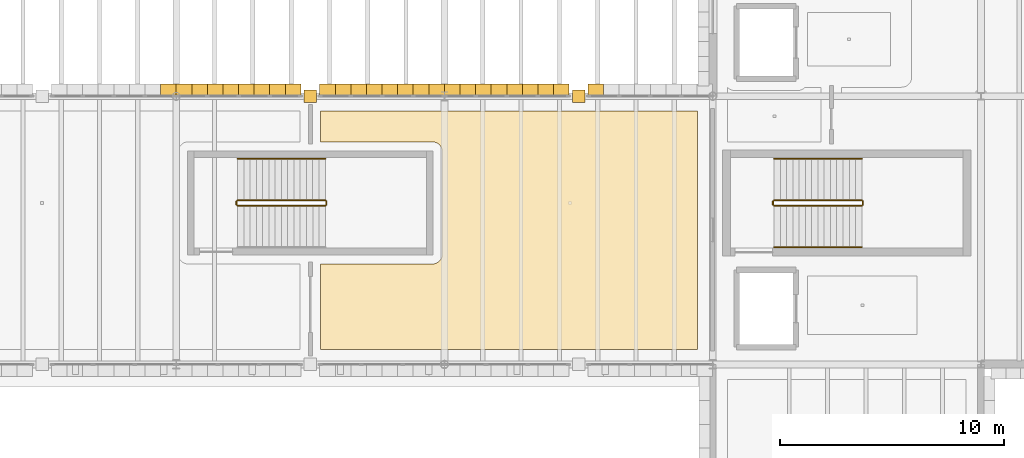
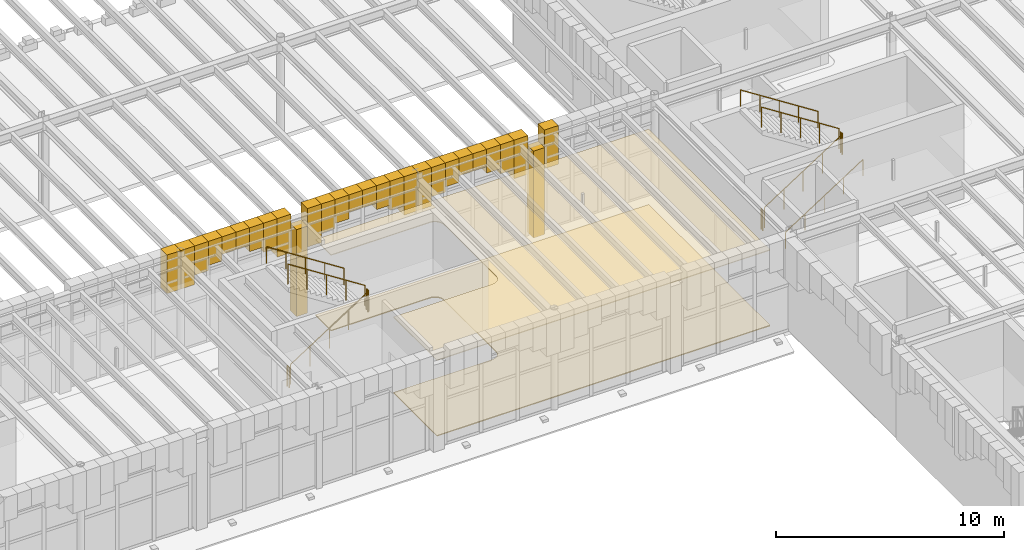
# One storey, part 87 of 100: 30 coverings, 11 railings.
"""IFC4 building model written with IfcOpenShell, lengths in metres."""

from ifc_helpers import new_model, si_unit, direction, frame, origin, origin_2d, place, context, subcontext, project, spatial, polyline, circle, outline, extrude, material, layer, layer_set, type_object, element, save


model = new_model("IFC4")

# Units and contexts
model_context = context("Model", 3, precision=1e-05, world=origin(), true_north=direction((0.0, 1.0)))
body_context = subcontext(model_context, "Body", "Model", "MODEL_VIEW")
ifc_project = project(units=[si_unit("LENGTHUNIT", "METRE"), si_unit("AREAUNIT", "SQUARE_METRE"), si_unit("VOLUMEUNIT", "CUBIC_METRE"), si_unit("PLANEANGLEUNIT", "RADIAN"), si_unit("MASSUNIT", "GRAM", prefix="KILO")], contexts=[model_context])

# Site, building, storey
site_placement = place(None, origin())
site = spatial("IfcSite", under=ifc_project, at=site_placement, CompositionType="ELEMENT")
building_placement = place(site_placement, origin())
building = spatial("IfcBuilding", under=site, at=building_placement, Name="Zlatogorsky Bluff Art Gallery", CompositionType="ELEMENT")
storey_placement = place(building_placement, frame((0.0, 0.0, 5.39990234375)))
storey = spatial("IfcBuildingStorey", under=building, at=storey_placement, Name="L01", CompositionType="ELEMENT", Elevation=5.39990234375)

# Coverings
ifc_material_1 = material(Name="Perforated Gypsum Acoustic Board", Category="gypsum")
ifc_layer_1 = layer(ifc_material_1, 0.0400390625)
ifc_layer_set_1 = layer_set([ifc_layer_1], Name="Acoustic Gallery Ceiling CLG-01")
covering_type_1 = type_object("IfcCoveringType", Name="Acoustic Gallery Ceiling CLG-01", PredefinedType="CEILING", material=ifc_layer_set_1)
covering_1_placement = place(storey_placement, frame((0.0, 0.0, 4.050048828125)))
element("IfcCovering", 1, at=covering_1_placement, inside=storey, type_object=covering_type_1, Name="Sculpture Terrace Gallery acoustic ceiling", PredefinedType="CEILING", context=body_context, shape_type="SweptSolid", body=[
    extrude(outline(polyline([(102.449951171875, 84.669921875), (102.449951171875, 88.489990234375), (107.450927734375, 88.489990234375), (107.495361328125, 88.4921875), (107.539306640625, 88.498779296875), (107.540283203125, 88.498779296875), (107.549560546875, 88.5009765625), (107.550537109375, 88.501220703125), (107.59375, 88.512939453125), (107.6357421875, 88.529296875), (107.637451171875, 88.530029296875), (107.673095703125, 88.5478515625), (107.674072265625, 88.54833984375), (107.706298828125, 88.568115234375), (107.73681640625, 88.59033203125), (107.73828125, 88.591552734375), (107.775390625, 88.624755859375), (107.80859375, 88.661865234375), (107.809814453125, 88.663330078125), (107.83203125, 88.693603515625), (107.851806640625, 88.725830078125), (107.852294921875, 88.726806640625), (107.8701171875, 88.762451171875), (107.870849609375, 88.764404296875), (107.886962890625, 88.80615234375), (107.89892578125, 88.849609375), (107.899169921875, 88.850341796875), (107.901123046875, 88.859619140625), (107.9013671875, 88.860595703125), (107.90771484375, 88.90478515625), (107.909912109375, 88.948974609375), (107.909912109375, 93.5009765625), (107.90771484375, 93.54541015625), (107.9013671875, 93.58935546875), (107.901123046875, 93.59033203125), (107.899169921875, 93.599609375), (107.89892578125, 93.6005859375), (107.886962890625, 93.643798828125), (107.870849609375, 93.685791015625), (107.8701171875, 93.6875), (107.852294921875, 93.72314453125), (107.851806640625, 93.72412109375), (107.83203125, 93.75634765625), (107.809814453125, 93.78662109375), (107.80859375, 93.7880859375), (107.775390625, 93.8251953125), (107.73828125, 93.8583984375), (107.73681640625, 93.859619140625), (107.706298828125, 93.882080078125), (107.674072265625, 93.901611328125), (107.673095703125, 93.902099609375), (107.637451171875, 93.919921875), (107.63671875, 93.92041015625), (107.6357421875, 93.9208984375), (107.59375, 93.93701171875), (107.550537109375, 93.948974609375), (107.549560546875, 93.94921875), (107.540283203125, 93.951171875), (107.539306640625, 93.951416015625), (107.495361328125, 93.957763671875), (107.450927734375, 93.9599609375), (102.449951171875, 93.9599609375), (102.449951171875, 95.330078125), (119.330078125, 95.330078125), (119.330078125, 84.669921875), (102.449951171875, 84.669921875)])), origin(), (0.0, 0.0, 1.0), 0.0400390625),
])
ifc_material_2 = material(Name="Honed Red Agra-Tone Quartzitic Sandstone", Category="masonry")
ifc_layer_2 = layer(ifc_material_2, 0.1201171875)
ifc_layer_set_2 = layer_set([ifc_layer_2], Name="Carved Sandstone Cladding CLD-02")
covering_type_2 = type_object("IfcCoveringType", Name="Carved Sandstone Cladding CLD-02", PredefinedType="CLADDING", material=ifc_layer_set_2)
covering_2_placement = place(storey_placement, frame((0.0, 0.0, 3.2978515625)))
element("IfcCovering", 2, at=covering_2_placement, inside=storey, type_object=covering_type_2, Name="Pointed Mughal arch voussoir spandrel ARCH-CW-L01-N-07-08-A.8", PredefinedType="CLADDING", context=body_context, shape_type="SweptSolid", body=[
    extrude(outline(polyline([(95.302490234375, 95.969970703125), (96.0, 95.969970703125), (96.0, 96.5400390625), (95.302490234375, 96.5400390625), (95.302490234375, 95.969970703125)])), origin(), (0.0, 0.0, 1.0), 2.062255859375),
])
covering_3_placement = place(storey_placement, frame((0.0, 0.0, -0.02978515625)))
element("IfcCovering", 3, at=covering_3_placement, inside=storey, type_object=covering_type_2, Name="Mughal dalan central sandstone pier L01 N 8.8", PredefinedType="CLADDING", context=body_context, shape_type="SweptSolid", body=[
    extrude(outline(polyline([(101.719970703125, 95.719970703125), (102.280029296875, 95.719970703125), (102.280029296875, 96.280029296875), (101.719970703125, 96.280029296875), (101.719970703125, 95.719970703125)])), origin(), (0.0, 0.0, 1.0), 4.659912109375),
])
covering_4_placement = place(storey_placement, frame((0.0, 0.0, 3.2978515625)))
element("IfcCovering", 4, at=covering_4_placement, inside=storey, type_object=covering_type_2, Name="Pointed Mughal arch voussoir spandrel ARCH-CW-L01-N-08-08-A.1", PredefinedType="CLADDING", context=body_context, shape_type="SweptSolid", body=[
    extrude(outline(polyline([(102.419921875, 95.969970703125), (103.117431640625, 95.969970703125), (103.117431640625, 96.5400390625), (102.419921875, 96.5400390625), (102.419921875, 95.969970703125)])), origin(), (0.0, 0.0, 1.0), 2.062255859375),
])
covering_5_placement = place(storey_placement, frame((0.0, 0.0, 3.7998046875)))
element("IfcCovering", 5, at=covering_5_placement, inside=storey, type_object=covering_type_2, Name="Pointed Mughal arch voussoir spandrel ARCH-CW-L01-N-08-08-A.2", PredefinedType="CLADDING", context=body_context, shape_type="SweptSolid", body=[
    extrude(outline(polyline([(103.117431640625, 95.969970703125), (103.81494140625, 95.969970703125), (103.81494140625, 96.5400390625), (103.117431640625, 96.5400390625), (103.117431640625, 95.969970703125)])), origin(), (0.0, 0.0, 1.0), 1.560302734375),
])
covering_6_placement = place(storey_placement, frame((0.0, 0.0, 4.076416015625)))
element("IfcCovering", 6, at=covering_6_placement, inside=storey, type_object=covering_type_2, Name="Pointed Mughal arch voussoir spandrel ARCH-CW-L01-N-08-08-A.3", PredefinedType="CLADDING", context=body_context, shape_type="SweptSolid", body=[
    extrude(outline(polyline([(103.81494140625, 95.969970703125), (104.512451171875, 95.969970703125), (104.512451171875, 96.5400390625), (103.81494140625, 96.5400390625), (103.81494140625, 95.969970703125)])), origin(), (0.0, 0.0, 1.0), 1.28369140625),
])
covering_7_placement = place(storey_placement, frame((0.0, 0.0, 4.424560546875)))
element("IfcCovering", 7, at=covering_7_placement, inside=storey, type_object=covering_type_2, Name="Pointed Mughal arch voussoir spandrel ARCH-CW-L01-N-08-08-A.4", PredefinedType="CLADDING", context=body_context, shape_type="SweptSolid", body=[
    extrude(outline(polyline([(104.512451171875, 95.969970703125), (105.2099609375, 95.969970703125), (105.2099609375, 96.5400390625), (104.512451171875, 96.5400390625), (104.512451171875, 95.969970703125)])), origin(), (0.0, 0.0, 1.0), 0.935546875),
])
covering_8_placement = place(storey_placement, frame((0.0, 0.0, 4.424560546875)))
element("IfcCovering", 8, at=covering_8_placement, inside=storey, type_object=covering_type_2, Name="Pointed Mughal arch voussoir spandrel ARCH-CW-L01-N-08-08-A.5", PredefinedType="CLADDING", context=body_context, shape_type="SweptSolid", body=[
    extrude(outline(polyline([(105.2099609375, 95.969970703125), (105.907470703125, 95.969970703125), (105.907470703125, 96.5400390625), (105.2099609375, 96.5400390625), (105.2099609375, 95.969970703125)])), origin(), (0.0, 0.0, 1.0), 0.935546875),
])
covering_9_placement = place(storey_placement, frame((0.0, 0.0, 4.076416015625)))
element("IfcCovering", 9, at=covering_9_placement, inside=storey, type_object=covering_type_2, Name="Pointed Mughal arch voussoir spandrel ARCH-CW-L01-N-08-08-A.6", PredefinedType="CLADDING", context=body_context, shape_type="SweptSolid", body=[
    extrude(outline(polyline([(105.907470703125, 95.969970703125), (106.60498046875, 95.969970703125), (106.60498046875, 96.5400390625), (105.907470703125, 96.5400390625), (105.907470703125, 95.969970703125)])), origin(), (0.0, 0.0, 1.0), 1.28369140625),
])
covering_10_placement = place(storey_placement, frame((0.0, 0.0, 3.7998046875)))
element("IfcCovering", 10, at=covering_10_placement, inside=storey, type_object=covering_type_2, Name="Pointed Mughal arch voussoir spandrel ARCH-CW-L01-N-08-08-A.7", PredefinedType="CLADDING", context=body_context, shape_type="SweptSolid", body=[
    extrude(outline(polyline([(106.60498046875, 95.969970703125), (107.302490234375, 95.969970703125), (107.302490234375, 96.5400390625), (106.60498046875, 96.5400390625), (106.60498046875, 95.969970703125)])), origin(), (0.0, 0.0, 1.0), 1.560302734375),
])
covering_11_placement = place(storey_placement, frame((0.0, 0.0, 3.2978515625)))
element("IfcCovering", 11, at=covering_11_placement, inside=storey, type_object=covering_type_2, Name="Pointed Mughal arch voussoir spandrel ARCH-CW-L01-N-08-08-A.8", PredefinedType="CLADDING", context=body_context, shape_type="SweptSolid", body=[
    extrude(outline(polyline([(107.302490234375, 95.969970703125), (108.0, 95.969970703125), (108.0, 96.5400390625), (107.302490234375, 96.5400390625), (107.302490234375, 95.969970703125)])), origin(), (0.0, 0.0, 1.0), 2.062255859375),
])
covering_12_placement = place(storey_placement, frame((0.0, 0.0, 3.2978515625)))
element("IfcCovering", 12, at=covering_12_placement, inside=storey, type_object=covering_type_2, Name="Pointed Mughal arch voussoir spandrel ARCH-CW-L01-N-08-08-B.1", PredefinedType="CLADDING", context=body_context, shape_type="SweptSolid", body=[
    extrude(outline(polyline([(96.0, 95.969970703125), (96.697509765625, 95.969970703125), (96.697509765625, 96.5400390625), (96.0, 96.5400390625), (96.0, 95.969970703125)])), origin(), (0.0, 0.0, 1.0), 2.062255859375),
])
covering_13_placement = place(storey_placement, frame((0.0, 0.0, 3.7998046875)))
element("IfcCovering", 13, at=covering_13_placement, inside=storey, type_object=covering_type_2, Name="Pointed Mughal arch voussoir spandrel ARCH-CW-L01-N-08-08-B.2", PredefinedType="CLADDING", context=body_context, shape_type="SweptSolid", body=[
    extrude(outline(polyline([(96.697509765625, 95.969970703125), (97.39501953125, 95.969970703125), (97.39501953125, 96.5400390625), (96.697509765625, 96.5400390625), (96.697509765625, 95.969970703125)])), origin(), (0.0, 0.0, 1.0), 1.560302734375),
])
covering_14_placement = place(storey_placement, frame((0.0, 0.0, 4.076416015625)))
element("IfcCovering", 14, at=covering_14_placement, inside=storey, type_object=covering_type_2, Name="Pointed Mughal arch voussoir spandrel ARCH-CW-L01-N-08-08-B.3", PredefinedType="CLADDING", context=body_context, shape_type="SweptSolid", body=[
    extrude(outline(polyline([(97.39501953125, 95.969970703125), (98.092529296875, 95.969970703125), (98.092529296875, 96.5400390625), (97.39501953125, 96.5400390625), (97.39501953125, 95.969970703125)])), origin(), (0.0, 0.0, 1.0), 1.28369140625),
])
covering_15_placement = place(storey_placement, frame((0.0, 0.0, 4.424560546875)))
element("IfcCovering", 15, at=covering_15_placement, inside=storey, type_object=covering_type_2, Name="Pointed Mughal arch voussoir spandrel ARCH-CW-L01-N-08-08-B.4", PredefinedType="CLADDING", context=body_context, shape_type="SweptSolid", body=[
    extrude(outline(polyline([(98.092529296875, 95.969970703125), (98.7900390625, 95.969970703125), (98.7900390625, 96.5400390625), (98.092529296875, 96.5400390625), (98.092529296875, 95.969970703125)])), origin(), (0.0, 0.0, 1.0), 0.935546875),
])
covering_16_placement = place(storey_placement, frame((0.0, 0.0, 4.424560546875)))
element("IfcCovering", 16, at=covering_16_placement, inside=storey, type_object=covering_type_2, Name="Pointed Mughal arch voussoir spandrel ARCH-CW-L01-N-08-08-B.5", PredefinedType="CLADDING", context=body_context, shape_type="SweptSolid", body=[
    extrude(outline(polyline([(98.7900390625, 95.969970703125), (99.487548828125, 95.969970703125), (99.487548828125, 96.5400390625), (98.7900390625, 96.5400390625), (98.7900390625, 95.969970703125)])), origin(), (0.0, 0.0, 1.0), 0.935546875),
])
covering_17_placement = place(storey_placement, frame((0.0, 0.0, 4.076416015625)))
element("IfcCovering", 17, at=covering_17_placement, inside=storey, type_object=covering_type_2, Name="Pointed Mughal arch voussoir spandrel ARCH-CW-L01-N-08-08-B.6", PredefinedType="CLADDING", context=body_context, shape_type="SweptSolid", body=[
    extrude(outline(polyline([(99.487548828125, 95.969970703125), (100.18505859375, 95.969970703125), (100.18505859375, 96.5400390625), (99.487548828125, 96.5400390625), (99.487548828125, 95.969970703125)])), origin(), (0.0, 0.0, 1.0), 1.28369140625),
])
covering_18_placement = place(storey_placement, frame((0.0, 0.0, 3.7998046875)))
element("IfcCovering", 18, at=covering_18_placement, inside=storey, type_object=covering_type_2, Name="Pointed Mughal arch voussoir spandrel ARCH-CW-L01-N-08-08-B.7", PredefinedType="CLADDING", context=body_context, shape_type="SweptSolid", body=[
    extrude(outline(polyline([(100.18505859375, 95.969970703125), (100.882568359375, 95.969970703125), (100.882568359375, 96.5400390625), (100.18505859375, 96.5400390625), (100.18505859375, 95.969970703125)])), origin(), (0.0, 0.0, 1.0), 1.560302734375),
])
covering_19_placement = place(storey_placement, frame((0.0, 0.0, 3.2978515625)))
element("IfcCovering", 19, at=covering_19_placement, inside=storey, type_object=covering_type_2, Name="Pointed Mughal arch voussoir spandrel ARCH-CW-L01-N-08-08-B.8", PredefinedType="CLADDING", context=body_context, shape_type="SweptSolid", body=[
    extrude(outline(polyline([(100.882568359375, 95.969970703125), (101.580078125, 95.969970703125), (101.580078125, 96.5400390625), (100.882568359375, 96.5400390625), (100.882568359375, 95.969970703125)])), origin(), (0.0, 0.0, 1.0), 2.062255859375),
])
covering_20_placement = place(storey_placement, frame((0.0, 0.0, -0.02978515625)))
element("IfcCovering", 20, at=covering_20_placement, inside=storey, type_object=covering_type_2, Name="Mughal dalan central sandstone pier L01 N 9.8", PredefinedType="CLADDING", context=body_context, shape_type="SweptSolid", body=[
    extrude(outline(polyline([(113.719970703125, 95.719970703125), (114.280029296875, 95.719970703125), (114.280029296875, 96.280029296875), (113.719970703125, 96.280029296875), (113.719970703125, 95.719970703125)])), origin(), (0.0, 0.0, 1.0), 4.659912109375),
])
covering_21_placement = place(storey_placement, frame((0.0, 0.0, 3.2978515625)))
element("IfcCovering", 21, at=covering_21_placement, inside=storey, type_object=covering_type_2, Name="Pointed Mughal arch voussoir spandrel ARCH-CW-L01-N-09-08-A.1", PredefinedType="CLADDING", context=body_context, shape_type="SweptSolid", body=[
    extrude(outline(polyline([(114.419921875, 95.969970703125), (115.117431640625, 95.969970703125), (115.117431640625, 96.5400390625), (114.419921875, 96.5400390625), (114.419921875, 95.969970703125)])), origin(), (0.0, 0.0, 1.0), 2.062255859375),
])
covering_22_placement = place(storey_placement, frame((0.0, 0.0, 3.2978515625)))
element("IfcCovering", 22, at=covering_22_placement, inside=storey, type_object=covering_type_2, Name="Pointed Mughal arch voussoir spandrel ARCH-CW-L01-N-09-08-B.1", PredefinedType="CLADDING", context=body_context, shape_type="SweptSolid", body=[
    extrude(outline(polyline([(108.0, 95.969970703125), (108.697509765625, 95.969970703125), (108.697509765625, 96.5400390625), (108.0, 96.5400390625), (108.0, 95.969970703125)])), origin(), (0.0, 0.0, 1.0), 2.062255859375),
])
covering_23_placement = place(storey_placement, frame((0.0, 0.0, 3.7998046875)))
element("IfcCovering", 23, at=covering_23_placement, inside=storey, type_object=covering_type_2, Name="Pointed Mughal arch voussoir spandrel ARCH-CW-L01-N-09-08-B.2", PredefinedType="CLADDING", context=body_context, shape_type="SweptSolid", body=[
    extrude(outline(polyline([(108.697509765625, 95.969970703125), (109.39501953125, 95.969970703125), (109.39501953125, 96.5400390625), (108.697509765625, 96.5400390625), (108.697509765625, 95.969970703125)])), origin(), (0.0, 0.0, 1.0), 1.560302734375),
])
covering_24_placement = place(storey_placement, frame((0.0, 0.0, 4.076416015625)))
element("IfcCovering", 24, at=covering_24_placement, inside=storey, type_object=covering_type_2, Name="Pointed Mughal arch voussoir spandrel ARCH-CW-L01-N-09-08-B.3", PredefinedType="CLADDING", context=body_context, shape_type="SweptSolid", body=[
    extrude(outline(polyline([(109.39501953125, 95.969970703125), (110.092529296875, 95.969970703125), (110.092529296875, 96.5400390625), (109.39501953125, 96.5400390625), (109.39501953125, 95.969970703125)])), origin(), (0.0, 0.0, 1.0), 1.28369140625),
])
covering_25_placement = place(storey_placement, frame((0.0, 0.0, 4.424560546875)))
element("IfcCovering", 25, at=covering_25_placement, inside=storey, type_object=covering_type_2, Name="Pointed Mughal arch voussoir spandrel ARCH-CW-L01-N-09-08-B.4", PredefinedType="CLADDING", context=body_context, shape_type="SweptSolid", body=[
    extrude(outline(polyline([(110.092529296875, 95.969970703125), (110.7900390625, 95.969970703125), (110.7900390625, 96.5400390625), (110.092529296875, 96.5400390625), (110.092529296875, 95.969970703125)])), origin(), (0.0, 0.0, 1.0), 0.935546875),
])
covering_26_placement = place(storey_placement, frame((0.0, 0.0, 4.424560546875)))
element("IfcCovering", 26, at=covering_26_placement, inside=storey, type_object=covering_type_2, Name="Pointed Mughal arch voussoir spandrel ARCH-CW-L01-N-09-08-B.5", PredefinedType="CLADDING", context=body_context, shape_type="SweptSolid", body=[
    extrude(outline(polyline([(110.7900390625, 95.969970703125), (111.487548828125, 95.969970703125), (111.487548828125, 96.5400390625), (110.7900390625, 96.5400390625), (110.7900390625, 95.969970703125)])), origin(), (0.0, 0.0, 1.0), 0.935546875),
])
covering_27_placement = place(storey_placement, frame((0.0, 0.0, 4.076416015625)))
element("IfcCovering", 27, at=covering_27_placement, inside=storey, type_object=covering_type_2, Name="Pointed Mughal arch voussoir spandrel ARCH-CW-L01-N-09-08-B.6", PredefinedType="CLADDING", context=body_context, shape_type="SweptSolid", body=[
    extrude(outline(polyline([(111.487548828125, 95.969970703125), (112.18505859375, 95.969970703125), (112.18505859375, 96.5400390625), (111.487548828125, 96.5400390625), (111.487548828125, 95.969970703125)])), origin(), (0.0, 0.0, 1.0), 1.28369140625),
])
covering_28_placement = place(storey_placement, frame((0.0, 0.0, 3.7998046875)))
element("IfcCovering", 28, at=covering_28_placement, inside=storey, type_object=covering_type_2, Name="Pointed Mughal arch voussoir spandrel ARCH-CW-L01-N-09-08-B.7", PredefinedType="CLADDING", context=body_context, shape_type="SweptSolid", body=[
    extrude(outline(polyline([(112.18505859375, 95.969970703125), (112.882568359375, 95.969970703125), (112.882568359375, 96.5400390625), (112.18505859375, 96.5400390625), (112.18505859375, 95.969970703125)])), origin(), (0.0, 0.0, 1.0), 1.560302734375),
])
covering_29_placement = place(storey_placement, frame((0.0, 0.0, 3.2978515625)))
element("IfcCovering", 29, at=covering_29_placement, inside=storey, type_object=covering_type_2, Name="Pointed Mughal arch voussoir spandrel ARCH-CW-L01-N-09-08-B.8", PredefinedType="CLADDING", context=body_context, shape_type="SweptSolid", body=[
    extrude(outline(polyline([(112.882568359375, 95.969970703125), (113.580078125, 95.969970703125), (113.580078125, 96.5400390625), (112.882568359375, 96.5400390625), (112.882568359375, 95.969970703125)])), origin(), (0.0, 0.0, 1.0), 2.062255859375),
])

# Railings
ifc_material_3 = material(Name="Architectural Bronze and Laminated Glass", Category="glass")
railing_type_1 = type_object("IfcRailingType", Name="Gallery Guard Rail 1100mm", PredefinedType="GUARDRAIL", material=ifc_material_3)
railing_1_placement = place(storey_placement, frame((98.75, 91.10009765625, 0.18017578125)))
element("IfcRailing", 30, at=railing_1_placement, inside=storey, type_object=railing_type_1, Name="L01 ST-01 stair guard 1", PredefinedType="GUARDRAIL", context=body_context, shape_type="SweptSolid", body=[
    extrude(circle(Radius=0.02392578125, at=origin_2d()), frame((0.0, 0.0, 1.076171875), z_axis=(0.841171666519, 0.0, 0.540768182723), x_axis=(0.0, 1.0, 0.0)), (0.0, 0.0, 1.0), 4.66015625),
    extrude(circle(Radius=0.02099609375, at=origin_2d()), origin(), (0.0, 0.0, 1.0), 1.052001953125),
    extrude(circle(Radius=0.02099609375, at=origin_2d()), frame((0.97998046875, 0.0, 0.6298828125)), (0.0, 0.0, 1.0), 1.052001953125),
    extrude(circle(Radius=0.02099609375, at=origin_2d()), frame((1.9599609375, 0.0, 1.260009765625)), (0.0, 0.0, 1.0), 1.052001953125),
    extrude(circle(Radius=0.02099609375, at=origin_2d()), frame((2.93994140625, 0.0, 1.89013671875)), (0.0, 0.0, 1.0), 1.052001953125),
    extrude(circle(Radius=0.02099609375, at=origin_2d()), frame((3.919921875, 0.0, 2.52001953125)), (0.0, 0.0, 1.0), 1.052001953125),
])
railing_2_placement = place(storey_placement, frame((102.719970703125, 91.14990234375, 2.7001953125)))
element("IfcRailing", 31, at=railing_2_placement, inside=storey, type_object=railing_type_1, Name="L01 ST-01 stair guard 2", PredefinedType="GUARDRAIL", context=body_context, shape_type="SweptSolid", body=[
    extrude(circle(Radius=0.02392578125, at=origin_2d()), frame((0.0, 0.0, 1.076171875), z_axis=(0.0, 1.0, 0.0), x_axis=(-1.0, 0.0, 0.0)), (0.0, 0.0, 1.0), 0.150146484375),
    extrude(circle(Radius=0.02099609375, at=origin_2d()), origin(), (0.0, 0.0, 1.0), 1.052001953125),
    extrude(circle(Radius=0.02099609375, at=origin_2d()), frame((0.0, 0.150146484375, 0.0)), (0.0, 0.0, 1.0), 1.052001953125),
])
railing_3_placement = place(storey_placement, frame((102.669921875, 91.35009765625, 2.880126953125)))
element("IfcRailing", 32, at=railing_3_placement, inside=storey, type_object=railing_type_1, Name="L01 ST-01 stair guard 3", PredefinedType="GUARDRAIL", context=body_context, shape_type="SweptSolid", body=[
    extrude(circle(Radius=0.02392578125, at=origin_2d()), frame((0.0, 0.0, 1.076171875), z_axis=(-0.841171666519, 0.0, 0.540768182723), x_axis=(0.0, -1.0, 0.0)), (0.0, 0.0, 1.0), 4.66015625),
    extrude(circle(Radius=0.02099609375, at=origin_2d()), origin(), (0.0, 0.0, 1.0), 1.052001953125),
    extrude(circle(Radius=0.02099609375, at=origin_2d()), frame((-0.97998046875, 0.0, 0.6298828125)), (0.0, 0.0, 1.0), 1.052001953125),
    extrude(circle(Radius=0.02099609375, at=origin_2d()), frame((-1.9599609375, 0.0, 1.260009765625)), (0.0, 0.0, 1.0), 1.052001953125),
    extrude(circle(Radius=0.02099609375, at=origin_2d()), frame((-2.93994140625, 0.0, 1.89013671875)), (0.0, 0.0, 1.0), 1.052001953125),
    extrude(circle(Radius=0.02099609375, at=origin_2d()), frame((-3.919921875, 0.0, 2.52001953125)), (0.0, 0.0, 1.0), 1.052001953125),
])
railing_4_placement = place(storey_placement, frame((98.699951171875, 91.14990234375, 0.0)))
element("IfcRailing", 33, at=railing_4_placement, inside=storey, type_object=railing_type_1, Name="L01 ST-01 stair guard 4", PredefinedType="GUARDRAIL", context=body_context, shape_type="SweptSolid", body=[
    extrude(circle(Radius=0.02392578125, at=origin_2d()), frame((0.0, 0.0, 1.076171875), z_axis=(0.0, 1.0, 0.0), x_axis=(-1.0, 0.0, 0.0)), (0.0, 0.0, 1.0), 0.150146484375),
    extrude(circle(Radius=0.02099609375, at=origin_2d()), origin(), (0.0, 0.0, 1.0), 1.052001953125),
    extrude(circle(Radius=0.02099609375, at=origin_2d()), frame((0.0, 0.150146484375, 0.0)), (0.0, 0.0, 1.0), 1.052001953125),
])
railing_5_placement = place(storey_placement, frame((122.75, 91.10009765625, 0.18017578125)))
element("IfcRailing", 34, at=railing_5_placement, inside=storey, type_object=railing_type_1, Name="L01 ST-02 stair guard 1", PredefinedType="GUARDRAIL", context=body_context, shape_type="SweptSolid", body=[
    extrude(circle(Radius=0.02392578125, at=origin_2d()), frame((0.0, 0.0, 1.076171875), z_axis=(0.841171666519, 0.0, 0.540768182723), x_axis=(0.0, 1.0, 0.0)), (0.0, 0.0, 1.0), 4.66015625),
    extrude(circle(Radius=0.02099609375, at=origin_2d()), origin(), (0.0, 0.0, 1.0), 1.052001953125),
    extrude(circle(Radius=0.02099609375, at=origin_2d()), frame((0.97998046875, 0.0, 0.6298828125)), (0.0, 0.0, 1.0), 1.052001953125),
    extrude(circle(Radius=0.02099609375, at=origin_2d()), frame((1.9599609375, 0.0, 1.260009765625)), (0.0, 0.0, 1.0), 1.052001953125),
    extrude(circle(Radius=0.02099609375, at=origin_2d()), frame((2.93994140625, 0.0, 1.89013671875)), (0.0, 0.0, 1.0), 1.052001953125),
    extrude(circle(Radius=0.02099609375, at=origin_2d()), frame((3.919921875, 0.0, 2.52001953125)), (0.0, 0.0, 1.0), 1.052001953125),
])
railing_6_placement = place(storey_placement, frame((126.719970703125, 91.14990234375, 2.7001953125)))
element("IfcRailing", 35, at=railing_6_placement, inside=storey, type_object=railing_type_1, Name="L01 ST-02 stair guard 2", PredefinedType="GUARDRAIL", context=body_context, shape_type="SweptSolid", body=[
    extrude(circle(Radius=0.02392578125, at=origin_2d()), frame((0.0, 0.0, 1.076171875), z_axis=(0.0, 1.0, 0.0), x_axis=(-1.0, 0.0, 0.0)), (0.0, 0.0, 1.0), 0.150146484375),
    extrude(circle(Radius=0.02099609375, at=origin_2d()), origin(), (0.0, 0.0, 1.0), 1.052001953125),
    extrude(circle(Radius=0.02099609375, at=origin_2d()), frame((0.0, 0.150146484375, 0.0)), (0.0, 0.0, 1.0), 1.052001953125),
])
railing_7_placement = place(storey_placement, frame((126.669921875, 91.35009765625, 2.880126953125)))
element("IfcRailing", 36, at=railing_7_placement, inside=storey, type_object=railing_type_1, Name="L01 ST-02 stair guard 3", PredefinedType="GUARDRAIL", context=body_context, shape_type="SweptSolid", body=[
    extrude(circle(Radius=0.02392578125, at=origin_2d()), frame((0.0, 0.0, 1.076171875), z_axis=(-0.841171666519, 0.0, 0.540768182723), x_axis=(0.0, -1.0, 0.0)), (0.0, 0.0, 1.0), 4.66015625),
    extrude(circle(Radius=0.02099609375, at=origin_2d()), origin(), (0.0, 0.0, 1.0), 1.052001953125),
    extrude(circle(Radius=0.02099609375, at=origin_2d()), frame((-0.97998046875, 0.0, 0.6298828125)), (0.0, 0.0, 1.0), 1.052001953125),
    extrude(circle(Radius=0.02099609375, at=origin_2d()), frame((-1.9599609375, 0.0, 1.260009765625)), (0.0, 0.0, 1.0), 1.052001953125),
    extrude(circle(Radius=0.02099609375, at=origin_2d()), frame((-2.93994140625, 0.0, 1.89013671875)), (0.0, 0.0, 1.0), 1.052001953125),
    extrude(circle(Radius=0.02099609375, at=origin_2d()), frame((-3.919921875, 0.0, 2.52001953125)), (0.0, 0.0, 1.0), 1.052001953125),
])
railing_8_placement = place(storey_placement, frame((122.699951171875, 91.14990234375, 0.0)))
element("IfcRailing", 37, at=railing_8_placement, inside=storey, type_object=railing_type_1, Name="L01 ST-02 stair guard 4", PredefinedType="GUARDRAIL", context=body_context, shape_type="SweptSolid", body=[
    extrude(circle(Radius=0.02392578125, at=origin_2d()), frame((0.0, 0.0, 1.076171875), z_axis=(0.0, 1.0, 0.0), x_axis=(-1.0, 0.0, 0.0)), (0.0, 0.0, 1.0), 0.150146484375),
    extrude(circle(Radius=0.02099609375, at=origin_2d()), origin(), (0.0, 0.0, 1.0), 1.052001953125),
    extrude(circle(Radius=0.02099609375, at=origin_2d()), frame((0.0, 0.150146484375, 0.0)), (0.0, 0.0, 1.0), 1.052001953125),
])
ifc_material_4 = material(Name="Brushed Stainless Steel", Category="steel")
railing_type_2 = type_object("IfcRailingType", Name="Stair Pitch Handrail 900mm", PredefinedType="HANDRAIL", material=ifc_material_4)
railing_9_placement = place(storey_placement, frame((102.669921875, 93.199951171875, 2.880126953125)))
element("IfcRailing", 38, at=railing_9_placement, inside=storey, type_object=railing_type_2, Name="L01 ST-01 stair handrail 2", PredefinedType="HANDRAIL", context=body_context, shape_type="SweptSolid", body=[
    extrude(circle(Radius=0.02392578125, at=origin_2d()), frame((0.0, 0.0, 0.8759765625), z_axis=(-0.841171666519, 0.0, 0.540768182723), x_axis=(0.0, -1.0, 0.0)), (0.0, 0.0, 1.0), 4.66015625),
    extrude(circle(Radius=0.02099609375, at=origin_2d()), origin(), (0.0, 0.0, 1.0), 0.851806640625),
    extrude(circle(Radius=0.02099609375, at=origin_2d()), frame((-0.97998046875, 0.0, 0.6298828125)), (0.0, 0.0, 1.0), 0.851806640625),
    extrude(circle(Radius=0.02099609375, at=origin_2d()), frame((-1.9599609375, 0.0, 1.260009765625)), (0.0, 0.0, 1.0), 0.851806640625),
    extrude(circle(Radius=0.02099609375, at=origin_2d()), frame((-2.93994140625, 0.0, 1.89013671875)), (0.0, 0.0, 1.0), 0.851806640625),
    extrude(circle(Radius=0.02099609375, at=origin_2d()), frame((-3.919921875, 0.0, 2.52001953125)), (0.0, 0.0, 1.0), 0.851806640625),
])
railing_10_placement = place(storey_placement, frame((122.75, 89.25, 0.18017578125)))
element("IfcRailing", 39, at=railing_10_placement, inside=storey, type_object=railing_type_2, Name="L01 ST-02 stair handrail 1", PredefinedType="HANDRAIL", context=body_context, shape_type="SweptSolid", body=[
    extrude(circle(Radius=0.02392578125, at=origin_2d()), frame((0.0, 0.0, 0.8759765625), z_axis=(0.841171666519, 0.0, 0.540768182723), x_axis=(0.0, 1.0, 0.0)), (0.0, 0.0, 1.0), 4.66015625),
    extrude(circle(Radius=0.02099609375, at=origin_2d()), origin(), (0.0, 0.0, 1.0), 0.851806640625),
    extrude(circle(Radius=0.02099609375, at=origin_2d()), frame((0.97998046875, 0.0, 0.6298828125)), (0.0, 0.0, 1.0), 0.851806640625),
    extrude(circle(Radius=0.02099609375, at=origin_2d()), frame((1.9599609375, 0.0, 1.260009765625)), (0.0, 0.0, 1.0), 0.851806640625),
    extrude(circle(Radius=0.02099609375, at=origin_2d()), frame((2.93994140625, 0.0, 1.89013671875)), (0.0, 0.0, 1.0), 0.851806640625),
    extrude(circle(Radius=0.02099609375, at=origin_2d()), frame((3.919921875, 0.0, 2.52001953125)), (0.0, 0.0, 1.0), 0.851806640625),
])
railing_11_placement = place(storey_placement, frame((126.669921875, 93.199951171875, 2.880126953125)))
element("IfcRailing", 40, at=railing_11_placement, inside=storey, type_object=railing_type_2, Name="L01 ST-02 stair handrail 2", PredefinedType="HANDRAIL", context=body_context, shape_type="SweptSolid", body=[
    extrude(circle(Radius=0.02392578125, at=origin_2d()), frame((0.0, 0.0, 0.8759765625), z_axis=(-0.841171666519, 0.0, 0.540768182723), x_axis=(0.0, -1.0, 0.0)), (0.0, 0.0, 1.0), 4.66015625),
    extrude(circle(Radius=0.02099609375, at=origin_2d()), origin(), (0.0, 0.0, 1.0), 0.851806640625),
    extrude(circle(Radius=0.02099609375, at=origin_2d()), frame((-0.97998046875, 0.0, 0.6298828125)), (0.0, 0.0, 1.0), 0.851806640625),
    extrude(circle(Radius=0.02099609375, at=origin_2d()), frame((-1.9599609375, 0.0, 1.260009765625)), (0.0, 0.0, 1.0), 0.851806640625),
    extrude(circle(Radius=0.02099609375, at=origin_2d()), frame((-2.93994140625, 0.0, 1.89013671875)), (0.0, 0.0, 1.0), 0.851806640625),
    extrude(circle(Radius=0.02099609375, at=origin_2d()), frame((-3.919921875, 0.0, 2.52001953125)), (0.0, 0.0, 1.0), 0.851806640625),
])

# Covering
ifc_material_5 = material(Name="Polished Ural Marble Terrazzo", Category="masonry")
ifc_layer_3 = layer(ifc_material_5, 0.050048828125)
ifc_layer_set_3 = layer_set([ifc_layer_3], Name="Terrazzo Gallery Flooring FLR-01")
covering_type_3 = type_object("IfcCoveringType", Name="Terrazzo Gallery Flooring FLR-01", PredefinedType="FLOORING", material=ifc_layer_set_3)
covering_30_placement = place(storey_placement, origin())
element("IfcCovering", 41, at=covering_30_placement, inside=storey, type_object=covering_type_3, Name="Sculpture Terrace Gallery terrazzo floor finish", PredefinedType="FLOORING", context=body_context, shape_type="SweptSolid", body=[
    extrude(outline(polyline([(102.449951171875, 84.669921875), (102.449951171875, 88.489990234375), (107.450927734375, 88.489990234375), (107.495361328125, 88.4921875), (107.539306640625, 88.498779296875), (107.540283203125, 88.498779296875), (107.549560546875, 88.5009765625), (107.550537109375, 88.501220703125), (107.59375, 88.512939453125), (107.6357421875, 88.529296875), (107.637451171875, 88.530029296875), (107.673095703125, 88.5478515625), (107.674072265625, 88.54833984375), (107.706298828125, 88.568115234375), (107.73681640625, 88.59033203125), (107.73828125, 88.591552734375), (107.775390625, 88.624755859375), (107.80859375, 88.661865234375), (107.809814453125, 88.663330078125), (107.83203125, 88.693603515625), (107.851806640625, 88.725830078125), (107.852294921875, 88.726806640625), (107.8701171875, 88.762451171875), (107.870849609375, 88.764404296875), (107.886962890625, 88.80615234375), (107.89892578125, 88.849609375), (107.899169921875, 88.850341796875), (107.901123046875, 88.859619140625), (107.9013671875, 88.860595703125), (107.90771484375, 88.90478515625), (107.909912109375, 88.948974609375), (107.909912109375, 93.5009765625), (107.90771484375, 93.54541015625), (107.9013671875, 93.58935546875), (107.901123046875, 93.59033203125), (107.899169921875, 93.599609375), (107.89892578125, 93.6005859375), (107.886962890625, 93.643798828125), (107.870849609375, 93.685791015625), (107.8701171875, 93.6875), (107.852294921875, 93.72314453125), (107.851806640625, 93.72412109375), (107.83203125, 93.75634765625), (107.809814453125, 93.78662109375), (107.80859375, 93.7880859375), (107.775390625, 93.8251953125), (107.73828125, 93.8583984375), (107.73681640625, 93.859619140625), (107.706298828125, 93.882080078125), (107.674072265625, 93.901611328125), (107.673095703125, 93.902099609375), (107.637451171875, 93.919921875), (107.63671875, 93.92041015625), (107.6357421875, 93.9208984375), (107.59375, 93.93701171875), (107.550537109375, 93.948974609375), (107.549560546875, 93.94921875), (107.540283203125, 93.951171875), (107.539306640625, 93.951416015625), (107.495361328125, 93.957763671875), (107.450927734375, 93.9599609375), (102.449951171875, 93.9599609375), (102.449951171875, 95.330078125), (119.330078125, 95.330078125), (119.330078125, 84.669921875), (102.449951171875, 84.669921875)])), origin(), (0.0, 0.0, 1.0), 0.050048828125),
])

save(model, "model.ifc")
